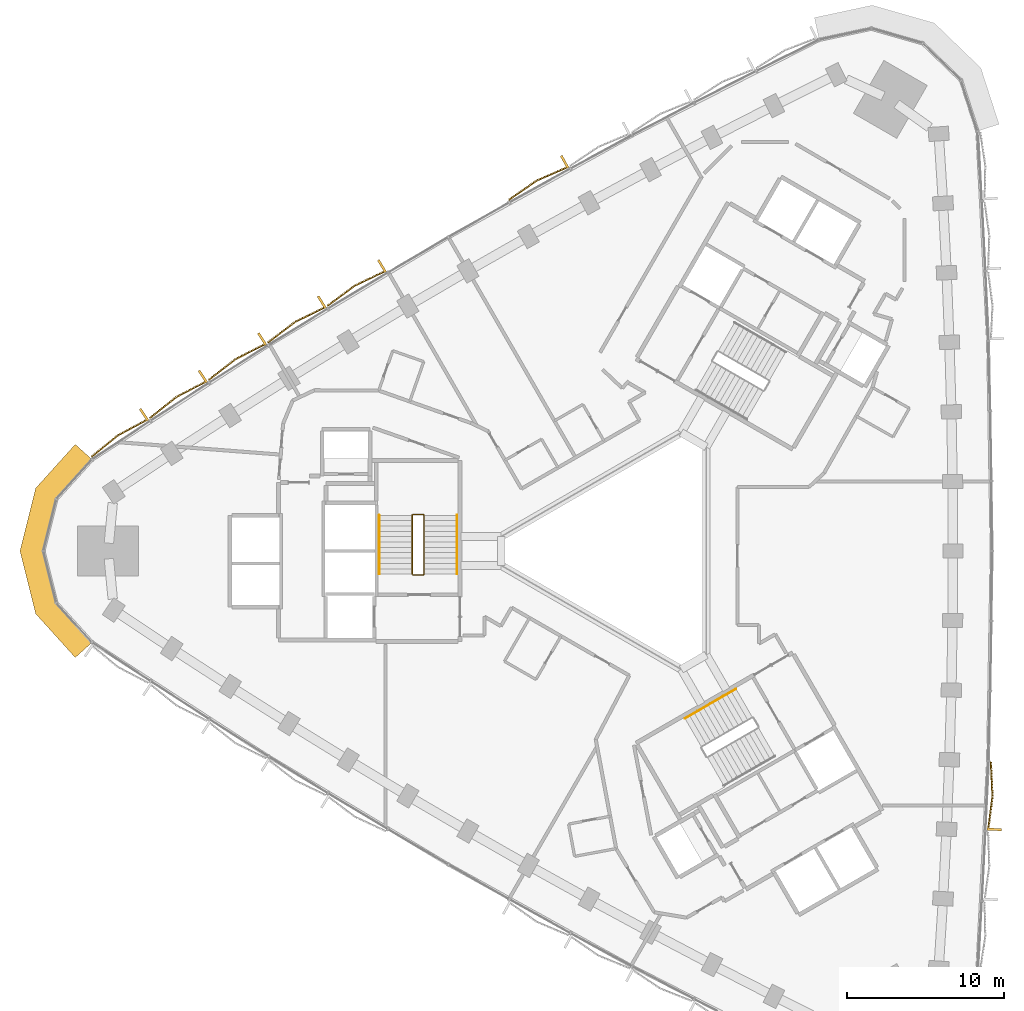
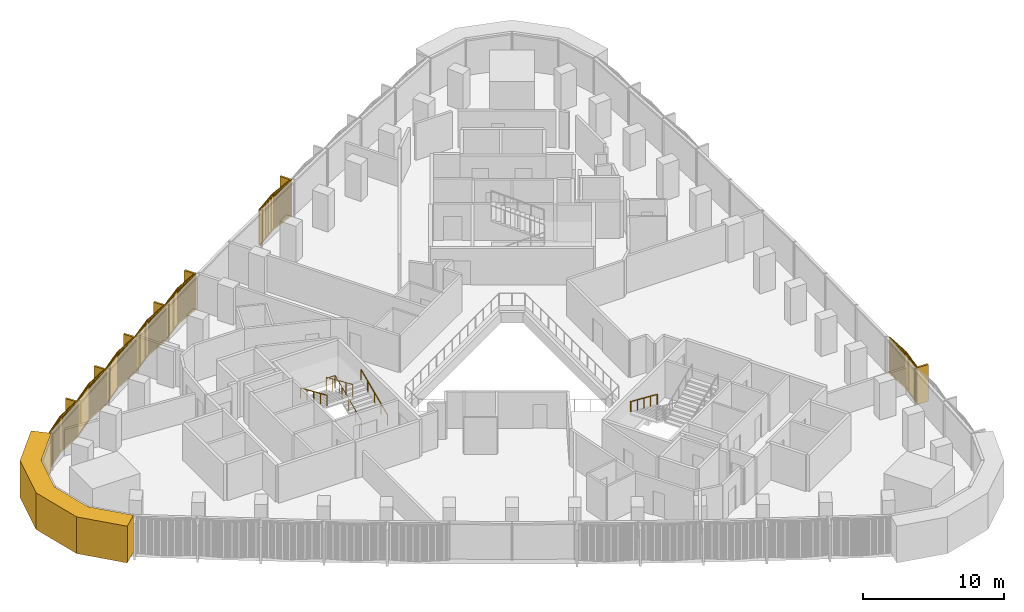
# One storey, part 13 of 15: 8 coverings, 4 railings.
"""IFC4 building model written with IfcOpenShell, lengths in metres."""

from ifc_helpers import new_model, si_unit, direction, frame, frame_2d, origin, origin_2d, place, context, subcontext, project, spatial, polyline, rectangle, circle, outline, extrude, source, transform, mapped, material, layer, layer_set, type_object, element, save


model = new_model("IFC4")

# Units and contexts
model_context = context("Model", 3, precision=1e-05, world=origin(), true_north=direction((0.0, 1.0)))
body_context = subcontext(model_context, "Body", "Model", "MODEL_VIEW")
ifc_project = project(units=[si_unit("LENGTHUNIT", "METRE"), si_unit("AREAUNIT", "SQUARE_METRE"), si_unit("VOLUMEUNIT", "CUBIC_METRE"), si_unit("PLANEANGLEUNIT", "RADIAN"), si_unit("MASSUNIT", "GRAM", prefix="KILO")], contexts=[model_context])

# Site, building, storey
site_placement = place(None, origin())
site = spatial("IfcSite", under=ifc_project, at=site_placement, CompositionType="ELEMENT")
building_placement = place(site_placement, origin())
building = spatial("IfcBuilding", under=site, at=building_placement, Name="Tamra Quay Hotel Tower", CompositionType="ELEMENT")
storey_placement = place(building_placement, frame((0.0, 0.0, 108.199951171875)))
storey = spatial("IfcBuildingStorey", under=building, at=storey_placement, Name="L26", CompositionType="ELEMENT", Elevation=108.199951171875)

# Covering
ifc_material_1 = material(Name="Precast concrete M60 terracotta-coloured", Category="masonry")
ifc_layer = layer(ifc_material_1, 1.449951171875)
ifc_layer_set = layer_set([ifc_layer], Name="CORNER PIER PANEL")
covering_type_1 = type_object("IfcCoveringType", Name="CORNER PIER PANEL", PredefinedType="CLADDING", material=ifc_layer_set)
covering_1_placement = place(storey_placement, origin())
element("IfcCovering", 1, at=covering_1_placement, inside=storey, type_object=covering_type_1, Name="Corner pier L26.north-west", PredefinedType="CLADDING", context=body_context, shape_type="SweptSolid", body=[
    extrude(outline(polyline([(-34.337890625, 5.839599609375), (-35.414306640625, 6.811279296875), (-37.942138671875, 4.01123046875), (-38.944091796875, 0.0), (-37.942138671875, -4.01123046875), (-35.414306640625, -6.811279296875), (-34.337890625, -5.839599609375), (-36.623046875, -3.308349609375), (-37.449462890625, 0.0), (-36.623046875, 3.308349609375), (-34.337890625, 5.839599609375)])), origin(), (0.0, 0.0, 1.0), 3.175048828125),
])

# Railings
ifc_material_2 = material(Name="Stair guard 1100")
railing_type_1 = type_object("IfcRailingType", Name="Stair guard 1100", PredefinedType="GUARDRAIL", material=ifc_material_2)
railing_1_placement = place(storey_placement, frame((-13.84130859375, -1.530029296875, 0.0)))
element("IfcRailing", 2, at=railing_1_placement, inside=storey, type_object=railing_type_1, Name="GR", PredefinedType="GUARDRAIL", context=body_context, shape_type="SweptSolid", body=[
    extrude(circle(Radius=0.02392578125, at=origin_2d()), frame((0.0, 0.0, 1.076171875), z_axis=(1.0, 0.0, 0.0), x_axis=(0.0, 1.0, 0.0)), (0.0, 0.0, 1.0), 0.658935546875),
    extrude(circle(Radius=0.02392578125, at=origin_2d()), frame((0.658935546875, 0.0, 1.076171875), z_axis=(0.301511344578, 0.301511344578, 0.904534033733), x_axis=(-0.707106781187, 0.707106781187, 0.0)), (0.0, 0.0, 1.0), 0.166015625),
    extrude(circle(Radius=0.02392578125, at=origin_2d()), frame((0.708984375, 0.050048828125, 1.22607421875), z_axis=(0.0, 0.915795495799, 0.401644880304), x_axis=(-1.0, 0.0, 0.0)), (0.0, 0.0, 1.0), 4.10791015625),
    extrude(circle(Radius=0.02392578125, at=origin_2d()), frame((0.708984375, 3.81201171875, 2.8759765625), z_axis=(-0.708833529934, 0.705375805398, 0.0), x_axis=(-0.705375805398, -0.708833529934, 0.0)), (0.0, 0.0, 1.0), 0.070556640625),
    extrude(circle(Radius=0.02392578125, at=origin_2d()), frame((0.658935546875, 3.86181640625, 2.8759765625), z_axis=(-1.0, 0.0, 0.0), x_axis=(0.0, -1.0, 0.0)), (0.0, 0.0, 1.0), 0.658935546875),
    extrude(circle(Radius=0.02392578125, at=origin_2d()), frame((0.0, 3.86181640625, 2.8759765625), z_axis=(-0.302046947789, -0.300573548044, 0.904667443621), x_axis=(0.705375805398, -0.708833529934, 0.0)), (0.0, 0.0, 1.0), 0.165771484375),
    extrude(circle(Radius=0.02392578125, at=origin_2d()), frame((-0.050048828125, 3.81201171875, 3.02587890625), z_axis=(0.0, -0.915773634228, 0.401694723457), x_axis=(1.0, 0.0, 0.0)), (0.0, 0.0, 1.0), 4.10791015625),
    extrude(circle(Radius=0.02099609375, at=origin_2d()), origin(), (0.0, 0.0, 1.0), 1.052001953125),
    extrude(circle(Radius=0.02099609375, at=origin_2d()), frame((0.658935546875, 0.0, 0.0)), (0.0, 0.0, 1.0), 1.052001953125),
    extrude(circle(Radius=0.02099609375, at=origin_2d()), frame((0.708984375, 0.050048828125, 0.150146484375)), (0.0, 0.0, 1.0), 1.052001953125),
    extrude(circle(Radius=0.02099609375, at=origin_2d()), frame((0.708984375, 0.990478515625, 0.5625)), (0.0, 0.0, 1.0), 1.052001953125),
    extrude(circle(Radius=0.02099609375, at=origin_2d()), frame((0.708984375, 1.93115234375, 0.97509765625)), (0.0, 0.0, 1.0), 1.052001953125),
    extrude(circle(Radius=0.02099609375, at=origin_2d()), frame((0.708984375, 2.87158203125, 1.3876953125)), (0.0, 0.0, 1.0), 1.052001953125),
    extrude(circle(Radius=0.02099609375, at=origin_2d()), frame((0.708984375, 3.81201171875, 1.800048828125)), (0.0, 0.0, 1.0), 1.052001953125),
    extrude(circle(Radius=0.02099609375, at=origin_2d()), frame((0.658935546875, 3.86181640625, 1.800048828125)), (0.0, 0.0, 1.0), 1.052001953125),
    extrude(circle(Radius=0.02099609375, at=origin_2d()), frame((0.0, 3.86181640625, 1.800048828125)), (0.0, 0.0, 1.0), 1.052001953125),
    extrude(circle(Radius=0.02099609375, at=origin_2d()), frame((-0.050048828125, 3.81201171875, 1.949951171875)), (0.0, 0.0, 1.0), 1.052001953125),
    extrude(circle(Radius=0.02099609375, at=origin_2d()), frame((-0.050048828125, 2.87158203125, 2.362548828125)), (0.0, 0.0, 1.0), 1.052001953125),
    extrude(circle(Radius=0.02099609375, at=origin_2d()), frame((-0.050048828125, 1.93115234375, 2.77490234375)), (0.0, 0.0, 1.0), 1.052001953125),
    extrude(circle(Radius=0.02099609375, at=origin_2d()), frame((-0.050048828125, 0.990478515625, 3.1875)), (0.0, 0.0, 1.0), 1.052001953125),
    extrude(circle(Radius=0.02099609375, at=origin_2d()), frame((-0.050048828125, 0.050048828125, 3.60009765625)), (0.0, 0.0, 1.0), 1.052001953125),
])
ifc_material_3 = material(Name="Stair handrail 900")
railing_type_2 = type_object("IfcRailingType", Name="Stair handrail 900", PredefinedType="HANDRAIL", material=ifc_material_3)
railing_2_placement = place(storey_placement, frame((-11.0322265625, -1.47998046875, 0.150146484375)))
element("IfcRailing", 3, at=railing_2_placement, inside=storey, type_object=railing_type_2, Name="HR", PredefinedType="HANDRAIL", context=body_context, shape_type="SweptSolid", body=[
    extrude(circle(Radius=0.02392578125, at=origin_2d()), frame((0.0, 0.0, 0.8759765625), z_axis=(0.0, 0.915795495799, 0.401644880304), x_axis=(-1.0, 0.0, 0.0)), (0.0, 0.0, 1.0), 4.10791015625),
    extrude(circle(Radius=0.02099609375, at=origin_2d()), origin(), (0.0, 0.0, 1.0), 0.851806640625),
    extrude(circle(Radius=0.02099609375, at=origin_2d()), frame((0.0, 0.9404296875, 0.41259765625)), (0.0, 0.0, 1.0), 0.851806640625),
    extrude(circle(Radius=0.02099609375, at=origin_2d()), frame((0.0, 1.880859375, 0.824951171875)), (0.0, 0.0, 1.0), 0.851806640625),
    extrude(circle(Radius=0.02099609375, at=origin_2d()), frame((0.0, 2.821533203125, 1.2373046875)), (0.0, 0.0, 1.0), 0.851806640625),
    extrude(circle(Radius=0.02099609375, at=origin_2d()), frame((0.0, 3.761962890625, 1.64990234375)), (0.0, 0.0, 1.0), 0.851806640625),
])
railing_3_placement = place(storey_placement, frame((-15.9912109375, 2.281982421875, 1.949951171875)))
element("IfcRailing", 4, at=railing_3_placement, inside=storey, type_object=railing_type_2, Name="HR", PredefinedType="HANDRAIL", context=body_context, shape_type="SweptSolid", body=[
    extrude(circle(Radius=0.02392578125, at=origin_2d()), frame((0.0, 0.0, 0.8759765625), z_axis=(0.0, -0.915773634228, 0.401694723457), x_axis=(1.0, 0.0, 0.0)), (0.0, 0.0, 1.0), 4.10791015625),
    extrude(circle(Radius=0.02099609375, at=origin_2d()), origin(), (0.0, 0.0, 1.0), 0.851806640625),
    extrude(circle(Radius=0.02099609375, at=origin_2d()), frame((0.0, -0.9404296875, 0.41259765625)), (0.0, 0.0, 1.0), 0.851806640625),
    extrude(circle(Radius=0.02099609375, at=origin_2d()), frame((0.0, -1.880859375, 0.8251953125)), (0.0, 0.0, 1.0), 0.851806640625),
    extrude(circle(Radius=0.02099609375, at=origin_2d()), frame((0.0, -2.821533203125, 1.237548828125)), (0.0, 0.0, 1.0), 0.851806640625),
    extrude(circle(Radius=0.02099609375, at=origin_2d()), frame((0.0, -3.761962890625, 1.650146484375)), (0.0, 0.0, 1.0), 0.851806640625),
])
railing_4_placement = place(storey_placement, frame((6.7978515625, -8.814208984375, 0.150146484375)))
element("IfcRailing", 5, at=railing_4_placement, inside=storey, type_object=railing_type_2, Name="HR", PredefinedType="HANDRAIL", context=body_context, shape_type="SweptSolid", body=[
    extrude(circle(Radius=0.02392578125, at=origin_2d()), frame((0.0, 0.0, 0.8759765625), z_axis=(-0.79310004713, -0.457886897714, 0.401661429744), x_axis=(0.499992114976, -0.866029956157, 0.0)), (0.0, 0.0, 1.0), 4.107666015625),
    extrude(circle(Radius=0.02099609375, at=origin_2d()), origin(), (0.0, 0.0, 1.0), 0.851806640625),
    extrude(circle(Radius=0.02099609375, at=origin_2d()), frame((-0.814453125, -0.47021484375, 0.41259765625)), (0.0, 0.0, 1.0), 0.851806640625),
    extrude(circle(Radius=0.02099609375, at=origin_2d()), frame((-1.62890625, -0.9404296875, 0.824951171875)), (0.0, 0.0, 1.0), 0.851806640625),
    extrude(circle(Radius=0.02099609375, at=origin_2d()), frame((-2.443359375, -1.41064453125, 1.2373046875)), (0.0, 0.0, 1.0), 0.851806640625),
    extrude(circle(Radius=0.02099609375, at=origin_2d()), frame((-3.2578125, -1.880859375, 1.64990234375)), (0.0, 0.0, 1.0), 0.851806640625),
])

# Coverings
ifc_material_4 = material(Name="Terracotta baguette extruded", Category="masonry")
covering_type_2 = type_object("IfcCoveringType", Name="BAGUETTE SCREEN E-V H3175", PredefinedType="USERDEFINED", material=ifc_material_4)
shared_shape_1 = source(origin(), body_context, "Body", "SweptSolid", [
    extrude(rectangle(XDim=2.200927734375, YDim=0.06005859375, at=frame_2d((1.1005859375, 0.030029296875))), frame((-2.19775390625, -0.057861328125, -0.1201171875), z_axis=(0.0, 0.0, 1.0), x_axis=(0.996194698092, -0.087155742748, 0.0)), (0.0, 0.0, 1.0), 0.1201171875),
    extrude(rectangle(XDim=2.200927734375, YDim=0.06005859375, at=frame_2d((1.1005859375, 0.030029296875))), frame((-2.19775390625, -0.057861328125, -3.175048828125), z_axis=(0.0, 0.0, 1.0), x_axis=(0.996194698092, -0.087155742748, 0.0)), (0.0, 0.0, 1.0), 0.1201171875),
    extrude(rectangle(XDim=0.070068359375, YDim=0.10009765625, at=frame_2d((0.03515625, 0.050048828125))), frame((-2.177734375, -0.13232421875, -3.114990234375)), (0.0, 0.0, 1.0), 3.054931640625),
    extrude(rectangle(XDim=0.070068359375, YDim=0.10009765625, at=frame_2d((0.03515625, 0.050048828125))), frame((-2.078125, -0.14111328125, -3.114990234375)), (0.0, 0.0, 1.0), 3.054931640625),
    extrude(rectangle(XDim=0.070068359375, YDim=0.10009765625, at=frame_2d((0.03515625, 0.050048828125))), frame((-1.978271484375, -0.14990234375, -3.114990234375)), (0.0, 0.0, 1.0), 3.054931640625),
    extrude(rectangle(XDim=0.070068359375, YDim=0.10009765625, at=frame_2d((0.03515625, 0.050048828125))), frame((-1.878662109375, -0.158447265625, -3.114990234375)), (0.0, 0.0, 1.0), 3.054931640625),
    extrude(rectangle(XDim=0.070068359375, YDim=0.10009765625, at=frame_2d((0.03515625, 0.050048828125))), frame((-1.779052734375, -0.167236328125, -3.114990234375)), (0.0, 0.0, 1.0), 3.054931640625),
    extrude(rectangle(XDim=0.070068359375, YDim=0.10009765625, at=frame_2d((0.03515625, 0.050048828125))), frame((-1.679443359375, -0.176025390625, -3.114990234375)), (0.0, 0.0, 1.0), 3.054931640625),
    extrude(rectangle(XDim=0.070068359375, YDim=0.10009765625, at=frame_2d((0.03515625, 0.050048828125))), frame((-1.579833984375, -0.1845703125, -3.114990234375)), (0.0, 0.0, 1.0), 3.054931640625),
    extrude(rectangle(XDim=0.070068359375, YDim=0.10009765625, at=frame_2d((0.03515625, 0.050048828125))), frame((-1.47998046875, -0.193359375, -3.114990234375)), (0.0, 0.0, 1.0), 3.054931640625),
    extrude(rectangle(XDim=0.070068359375, YDim=0.10009765625, at=frame_2d((0.03515625, 0.050048828125))), frame((-1.38037109375, -0.2021484375, -3.114990234375)), (0.0, 0.0, 1.0), 3.054931640625),
    extrude(rectangle(XDim=0.070068359375, YDim=0.10009765625, at=frame_2d((0.03515625, 0.050048828125))), frame((-1.28076171875, -0.2109375, -3.114990234375)), (0.0, 0.0, 1.0), 3.054931640625),
    extrude(rectangle(XDim=0.070068359375, YDim=0.10009765625, at=frame_2d((0.03515625, 0.050048828125))), frame((-1.18115234375, -0.219482421875, -3.114990234375)), (0.0, 0.0, 1.0), 3.054931640625),
    extrude(rectangle(XDim=0.070068359375, YDim=0.10009765625, at=frame_2d((0.03515625, 0.050048828125))), frame((-1.081298828125, -0.228271484375, -3.114990234375)), (0.0, 0.0, 1.0), 3.054931640625),
    extrude(rectangle(XDim=0.070068359375, YDim=0.10009765625, at=frame_2d((0.03515625, 0.050048828125))), frame((-0.981689453125, -0.237060546875, -3.114990234375)), (0.0, 0.0, 1.0), 3.054931640625),
    extrude(rectangle(XDim=0.070068359375, YDim=0.10009765625, at=frame_2d((0.03515625, 0.050048828125))), frame((-0.882080078125, -0.24560546875, -3.114990234375)), (0.0, 0.0, 1.0), 3.054931640625),
    extrude(rectangle(XDim=0.070068359375, YDim=0.10009765625, at=frame_2d((0.03515625, 0.050048828125))), frame((-0.782470703125, -0.25439453125, -3.114990234375)), (0.0, 0.0, 1.0), 3.054931640625),
    extrude(rectangle(XDim=0.070068359375, YDim=0.10009765625, at=frame_2d((0.03515625, 0.050048828125))), frame((-0.682861328125, -0.26318359375, -3.114990234375)), (0.0, 0.0, 1.0), 3.054931640625),
    extrude(rectangle(XDim=0.070068359375, YDim=0.10009765625, at=frame_2d((0.03515625, 0.050048828125))), frame((-0.583251953125, -0.27197265625, -3.114990234375)), (0.0, 0.0, 1.0), 3.054931640625),
    extrude(rectangle(XDim=0.070068359375, YDim=0.10009765625, at=frame_2d((0.03515625, 0.050048828125))), frame((-0.4833984375, -0.280517578125, -3.114990234375)), (0.0, 0.0, 1.0), 3.054931640625),
    extrude(rectangle(XDim=0.070068359375, YDim=0.10009765625, at=frame_2d((0.03515625, 0.050048828125))), frame((-0.3837890625, -0.289306640625, -3.114990234375)), (0.0, 0.0, 1.0), 3.054931640625),
    extrude(rectangle(XDim=0.070068359375, YDim=0.10009765625, at=frame_2d((0.03515625, 0.050048828125))), frame((-0.2841796875, -0.298095703125, -3.114990234375)), (0.0, 0.0, 1.0), 3.054931640625),
    extrude(rectangle(XDim=0.070068359375, YDim=0.10009765625, at=frame_2d((0.03515625, 0.050048828125))), frame((-0.1845703125, -0.306640625, -3.114990234375)), (0.0, 0.0, 1.0), 3.054931640625),
    extrude(rectangle(XDim=0.070068359375, YDim=0.10009765625, at=frame_2d((0.03515625, 0.050048828125))), frame((-0.084716796875, -0.3154296875, -3.114990234375)), (0.0, 0.0, 1.0), 3.054931640625),
    extrude(rectangle(XDim=2.200927734375, YDim=0.06005859375, at=frame_2d((1.1005859375, 0.030029296875))), frame((0.005126953125, -0.24951171875, -0.1201171875), z_axis=(0.0, 0.0, 1.0), x_axis=(0.996194698092, 0.087155742748, 0.0)), (0.0, 0.0, 1.0), 0.1201171875),
    extrude(rectangle(XDim=2.200927734375, YDim=0.06005859375, at=frame_2d((1.1005859375, 0.030029296875))), frame((0.005126953125, -0.24951171875, -3.175048828125), z_axis=(0.0, 0.0, 1.0), x_axis=(0.996194698092, 0.087155742748, 0.0)), (0.0, 0.0, 1.0), 0.1201171875),
    extrude(rectangle(XDim=0.070068359375, YDim=0.10009765625, at=frame_2d((0.03515625, 0.050048828125))), frame((0.014892578125, -0.3154296875, -3.114990234375)), (0.0, 0.0, 1.0), 3.054931640625),
    extrude(rectangle(XDim=0.070068359375, YDim=0.10009765625, at=frame_2d((0.03515625, 0.050048828125))), frame((0.114501953125, -0.306640625, -3.114990234375)), (0.0, 0.0, 1.0), 3.054931640625),
    extrude(rectangle(XDim=0.070068359375, YDim=0.10009765625, at=frame_2d((0.03515625, 0.050048828125))), frame((0.214111328125, -0.298095703125, -3.114990234375)), (0.0, 0.0, 1.0), 3.054931640625),
    extrude(rectangle(XDim=0.070068359375, YDim=0.10009765625, at=frame_2d((0.03515625, 0.050048828125))), frame((0.313720703125, -0.289306640625, -3.114990234375)), (0.0, 0.0, 1.0), 3.054931640625),
    extrude(rectangle(XDim=0.070068359375, YDim=0.10009765625, at=frame_2d((0.03515625, 0.050048828125))), frame((0.41357421875, -0.280517578125, -3.114990234375)), (0.0, 0.0, 1.0), 3.054931640625),
    extrude(rectangle(XDim=0.070068359375, YDim=0.10009765625, at=frame_2d((0.03515625, 0.050048828125))), frame((0.51318359375, -0.27197265625, -3.114990234375)), (0.0, 0.0, 1.0), 3.054931640625),
    extrude(rectangle(XDim=0.070068359375, YDim=0.10009765625, at=frame_2d((0.03515625, 0.050048828125))), frame((0.61279296875, -0.26318359375, -3.114990234375)), (0.0, 0.0, 1.0), 3.054931640625),
    extrude(rectangle(XDim=0.070068359375, YDim=0.10009765625, at=frame_2d((0.03515625, 0.050048828125))), frame((0.71240234375, -0.25439453125, -3.114990234375)), (0.0, 0.0, 1.0), 3.054931640625),
    extrude(rectangle(XDim=0.070068359375, YDim=0.10009765625, at=frame_2d((0.03515625, 0.050048828125))), frame((0.81201171875, -0.24560546875, -3.114990234375)), (0.0, 0.0, 1.0), 3.054931640625),
    extrude(rectangle(XDim=0.070068359375, YDim=0.10009765625, at=frame_2d((0.03515625, 0.050048828125))), frame((0.911865234375, -0.237060546875, -3.114990234375)), (0.0, 0.0, 1.0), 3.054931640625),
    extrude(rectangle(XDim=0.070068359375, YDim=0.10009765625, at=frame_2d((0.03515625, 0.050048828125))), frame((1.011474609375, -0.228271484375, -3.114990234375)), (0.0, 0.0, 1.0), 3.054931640625),
    extrude(rectangle(XDim=0.070068359375, YDim=0.10009765625, at=frame_2d((0.03515625, 0.050048828125))), frame((1.111083984375, -0.219482421875, -3.114990234375)), (0.0, 0.0, 1.0), 3.054931640625),
    extrude(rectangle(XDim=0.070068359375, YDim=0.10009765625, at=frame_2d((0.03515625, 0.050048828125))), frame((1.210693359375, -0.2109375, -3.114990234375)), (0.0, 0.0, 1.0), 3.054931640625),
    extrude(rectangle(XDim=0.070068359375, YDim=0.10009765625, at=frame_2d((0.03515625, 0.050048828125))), frame((1.310302734375, -0.2021484375, -3.114990234375)), (0.0, 0.0, 1.0), 3.054931640625),
    extrude(rectangle(XDim=0.070068359375, YDim=0.10009765625, at=frame_2d((0.03515625, 0.050048828125))), frame((1.41015625, -0.193359375, -3.114990234375)), (0.0, 0.0, 1.0), 3.054931640625),
    extrude(rectangle(XDim=0.070068359375, YDim=0.10009765625, at=frame_2d((0.03515625, 0.050048828125))), frame((1.509765625, -0.1845703125, -3.114990234375)), (0.0, 0.0, 1.0), 3.054931640625),
    extrude(rectangle(XDim=0.070068359375, YDim=0.10009765625, at=frame_2d((0.03515625, 0.050048828125))), frame((1.609375, -0.176025390625, -3.114990234375)), (0.0, 0.0, 1.0), 3.054931640625),
    extrude(rectangle(XDim=0.070068359375, YDim=0.10009765625, at=frame_2d((0.03515625, 0.050048828125))), frame((1.708984375, -0.167236328125, -3.114990234375)), (0.0, 0.0, 1.0), 3.054931640625),
    extrude(rectangle(XDim=0.070068359375, YDim=0.10009765625, at=frame_2d((0.03515625, 0.050048828125))), frame((1.80859375, -0.158447265625, -3.114990234375)), (0.0, 0.0, 1.0), 3.054931640625),
    extrude(rectangle(XDim=0.070068359375, YDim=0.10009765625, at=frame_2d((0.03515625, 0.050048828125))), frame((1.908447265625, -0.14990234375, -3.114990234375)), (0.0, 0.0, 1.0), 3.054931640625),
    extrude(rectangle(XDim=0.070068359375, YDim=0.10009765625, at=frame_2d((0.03515625, 0.050048828125))), frame((2.008056640625, -0.14111328125, -3.114990234375)), (0.0, 0.0, 1.0), 3.054931640625),
    extrude(rectangle(XDim=0.070068359375, YDim=0.10009765625, at=frame_2d((0.03515625, 0.050048828125))), frame((2.107666015625, -0.13232421875, -3.114990234375)), (0.0, 0.0, 1.0), 3.054931640625),
    extrude(rectangle(XDim=0.14990234375, YDim=0.902099609375, at=frame_2d((0.074951171875, 0.451171875))), frame((-2.1923828125, -0.89990234375, -3.175048828125)), (0.0, 0.0, 1.0), 3.175048828125),
])
covering_2_placement = place(storey_placement, frame((22.933349609375, -15.65625, 3.175048828125), z_axis=(0.0, 0.0, 1.0), x_axis=(0.039943885581, 0.99920192454, 0.0)))
element("IfcCovering", 6, at=covering_2_placement, inside=storey, type_object=covering_type_2, Name="Baguette screen L26.E.f02", ObjectType="BAGUETTE SCREEN", PredefinedType="USERDEFINED", context=body_context, shape_type="MappedRepresentation", body=[
    mapped(shared_shape_1, transform((0.0, 0.0, 0.0), scale=1.0)),
])
covering_type_3 = type_object("IfcCoveringType", Name="BAGUETTE SCREEN NW-V H3175", PredefinedType="USERDEFINED", material=ifc_material_4)
shared_shape_2 = source(origin(), body_context, "Body", "SweptSolid", [
    extrude(rectangle(XDim=2.20263671875, YDim=0.06005859375, at=frame_2d((1.101318359375, 0.030029296875))), frame((-2.1982421875, -0.0576171875, -0.1201171875), z_axis=(0.0, 0.0, 1.0), x_axis=(0.995396198367, -0.09584575252, 0.0)), (0.0, 0.0, 1.0), 0.1201171875),
    extrude(rectangle(XDim=2.20263671875, YDim=0.06005859375, at=frame_2d((1.101318359375, 0.030029296875))), frame((-2.1982421875, -0.0576171875, -3.175048828125), z_axis=(0.0, 0.0, 1.0), x_axis=(0.995396198367, -0.09584575252, 0.0)), (0.0, 0.0, 1.0), 0.1201171875),
    extrude(rectangle(XDim=0.070068359375, YDim=0.10009765625, at=frame_2d((0.03515625, 0.050048828125))), frame((-2.177734375, -0.1328125, -3.114990234375)), (0.0, 0.0, 1.0), 3.054931640625),
    extrude(rectangle(XDim=0.070068359375, YDim=0.10009765625, at=frame_2d((0.03515625, 0.050048828125))), frame((-2.078125, -0.142333984375, -3.114990234375)), (0.0, 0.0, 1.0), 3.054931640625),
    extrude(rectangle(XDim=0.070068359375, YDim=0.10009765625, at=frame_2d((0.03515625, 0.050048828125))), frame((-1.978271484375, -0.152099609375, -3.114990234375)), (0.0, 0.0, 1.0), 3.054931640625),
    extrude(rectangle(XDim=0.070068359375, YDim=0.10009765625, at=frame_2d((0.03515625, 0.050048828125))), frame((-1.878662109375, -0.16162109375, -3.114990234375)), (0.0, 0.0, 1.0), 3.054931640625),
    extrude(rectangle(XDim=0.070068359375, YDim=0.10009765625, at=frame_2d((0.03515625, 0.050048828125))), frame((-1.779052734375, -0.171142578125, -3.114990234375)), (0.0, 0.0, 1.0), 3.054931640625),
    extrude(rectangle(XDim=0.070068359375, YDim=0.10009765625, at=frame_2d((0.03515625, 0.050048828125))), frame((-1.679443359375, -0.1806640625, -3.114990234375)), (0.0, 0.0, 1.0), 3.054931640625),
    extrude(rectangle(XDim=0.070068359375, YDim=0.10009765625, at=frame_2d((0.03515625, 0.050048828125))), frame((-1.579833984375, -0.1904296875, -3.114990234375)), (0.0, 0.0, 1.0), 3.054931640625),
    extrude(rectangle(XDim=0.070068359375, YDim=0.10009765625, at=frame_2d((0.03515625, 0.050048828125))), frame((-1.47998046875, -0.199951171875, -3.114990234375)), (0.0, 0.0, 1.0), 3.054931640625),
    extrude(rectangle(XDim=0.070068359375, YDim=0.10009765625, at=frame_2d((0.03515625, 0.050048828125))), frame((-1.38037109375, -0.20947265625, -3.114990234375)), (0.0, 0.0, 1.0), 3.054931640625),
    extrude(rectangle(XDim=0.070068359375, YDim=0.10009765625, at=frame_2d((0.03515625, 0.050048828125))), frame((-1.28076171875, -0.21923828125, -3.114990234375)), (0.0, 0.0, 1.0), 3.054931640625),
    extrude(rectangle(XDim=0.070068359375, YDim=0.10009765625, at=frame_2d((0.03515625, 0.050048828125))), frame((-1.18115234375, -0.228759765625, -3.114990234375)), (0.0, 0.0, 1.0), 3.054931640625),
    extrude(rectangle(XDim=0.070068359375, YDim=0.10009765625, at=frame_2d((0.03515625, 0.050048828125))), frame((-1.081298828125, -0.23828125, -3.114990234375)), (0.0, 0.0, 1.0), 3.054931640625),
    extrude(rectangle(XDim=0.070068359375, YDim=0.10009765625, at=frame_2d((0.03515625, 0.050048828125))), frame((-0.981689453125, -0.248046875, -3.114990234375)), (0.0, 0.0, 1.0), 3.054931640625),
    extrude(rectangle(XDim=0.070068359375, YDim=0.10009765625, at=frame_2d((0.03515625, 0.050048828125))), frame((-0.882080078125, -0.257568359375, -3.114990234375)), (0.0, 0.0, 1.0), 3.054931640625),
    extrude(rectangle(XDim=0.070068359375, YDim=0.10009765625, at=frame_2d((0.03515625, 0.050048828125))), frame((-0.782470703125, -0.26708984375, -3.114990234375)), (0.0, 0.0, 1.0), 3.054931640625),
    extrude(rectangle(XDim=0.070068359375, YDim=0.10009765625, at=frame_2d((0.03515625, 0.050048828125))), frame((-0.682861328125, -0.27685546875, -3.114990234375)), (0.0, 0.0, 1.0), 3.054931640625),
    extrude(rectangle(XDim=0.070068359375, YDim=0.10009765625, at=frame_2d((0.03515625, 0.050048828125))), frame((-0.583251953125, -0.286376953125, -3.114990234375)), (0.0, 0.0, 1.0), 3.054931640625),
    extrude(rectangle(XDim=0.070068359375, YDim=0.10009765625, at=frame_2d((0.03515625, 0.050048828125))), frame((-0.4833984375, -0.2958984375, -3.114990234375)), (0.0, 0.0, 1.0), 3.054931640625),
    extrude(rectangle(XDim=0.070068359375, YDim=0.10009765625, at=frame_2d((0.03515625, 0.050048828125))), frame((-0.3837890625, -0.305419921875, -3.114990234375)), (0.0, 0.0, 1.0), 3.054931640625),
    extrude(rectangle(XDim=0.070068359375, YDim=0.10009765625, at=frame_2d((0.03515625, 0.050048828125))), frame((-0.2841796875, -0.315185546875, -3.114990234375)), (0.0, 0.0, 1.0), 3.054931640625),
    extrude(rectangle(XDim=0.070068359375, YDim=0.10009765625, at=frame_2d((0.03515625, 0.050048828125))), frame((-0.1845703125, -0.32470703125, -3.114990234375)), (0.0, 0.0, 1.0), 3.054931640625),
    extrude(rectangle(XDim=0.070068359375, YDim=0.10009765625, at=frame_2d((0.03515625, 0.050048828125))), frame((-0.084716796875, -0.334228515625, -3.114990234375)), (0.0, 0.0, 1.0), 3.054931640625),
    extrude(rectangle(XDim=2.20263671875, YDim=0.06005859375, at=frame_2d((1.101318359375, 0.030029296875))), frame((0.005859375, -0.268798828125, -0.1201171875), z_axis=(0.0, 0.0, 1.0), x_axis=(0.995396198367, 0.09584575252, 0.0)), (0.0, 0.0, 1.0), 0.1201171875),
    extrude(rectangle(XDim=2.20263671875, YDim=0.06005859375, at=frame_2d((1.101318359375, 0.030029296875))), frame((0.005859375, -0.268798828125, -3.175048828125), z_axis=(0.0, 0.0, 1.0), x_axis=(0.995396198367, 0.09584575252, 0.0)), (0.0, 0.0, 1.0), 0.1201171875),
    extrude(rectangle(XDim=0.070068359375, YDim=0.10009765625, at=frame_2d((0.03515625, 0.050048828125))), frame((0.014892578125, -0.334228515625, -3.114990234375)), (0.0, 0.0, 1.0), 3.054931640625),
    extrude(rectangle(XDim=0.070068359375, YDim=0.10009765625, at=frame_2d((0.03515625, 0.050048828125))), frame((0.114501953125, -0.32470703125, -3.114990234375)), (0.0, 0.0, 1.0), 3.054931640625),
    extrude(rectangle(XDim=0.070068359375, YDim=0.10009765625, at=frame_2d((0.03515625, 0.050048828125))), frame((0.214111328125, -0.315185546875, -3.114990234375)), (0.0, 0.0, 1.0), 3.054931640625),
    extrude(rectangle(XDim=0.070068359375, YDim=0.10009765625, at=frame_2d((0.03515625, 0.050048828125))), frame((0.313720703125, -0.305419921875, -3.114990234375)), (0.0, 0.0, 1.0), 3.054931640625),
    extrude(rectangle(XDim=0.070068359375, YDim=0.10009765625, at=frame_2d((0.03515625, 0.050048828125))), frame((0.41357421875, -0.2958984375, -3.114990234375)), (0.0, 0.0, 1.0), 3.054931640625),
    extrude(rectangle(XDim=0.070068359375, YDim=0.10009765625, at=frame_2d((0.03515625, 0.050048828125))), frame((0.51318359375, -0.286376953125, -3.114990234375)), (0.0, 0.0, 1.0), 3.054931640625),
    extrude(rectangle(XDim=0.070068359375, YDim=0.10009765625, at=frame_2d((0.03515625, 0.050048828125))), frame((0.61279296875, -0.27685546875, -3.114990234375)), (0.0, 0.0, 1.0), 3.054931640625),
    extrude(rectangle(XDim=0.070068359375, YDim=0.10009765625, at=frame_2d((0.03515625, 0.050048828125))), frame((0.71240234375, -0.26708984375, -3.114990234375)), (0.0, 0.0, 1.0), 3.054931640625),
    extrude(rectangle(XDim=0.070068359375, YDim=0.10009765625, at=frame_2d((0.03515625, 0.050048828125))), frame((0.81201171875, -0.257568359375, -3.114990234375)), (0.0, 0.0, 1.0), 3.054931640625),
    extrude(rectangle(XDim=0.070068359375, YDim=0.10009765625, at=frame_2d((0.03515625, 0.050048828125))), frame((0.911865234375, -0.248046875, -3.114990234375)), (0.0, 0.0, 1.0), 3.054931640625),
    extrude(rectangle(XDim=0.070068359375, YDim=0.10009765625, at=frame_2d((0.03515625, 0.050048828125))), frame((1.011474609375, -0.23828125, -3.114990234375)), (0.0, 0.0, 1.0), 3.054931640625),
    extrude(rectangle(XDim=0.070068359375, YDim=0.10009765625, at=frame_2d((0.03515625, 0.050048828125))), frame((1.111083984375, -0.228759765625, -3.114990234375)), (0.0, 0.0, 1.0), 3.054931640625),
    extrude(rectangle(XDim=0.070068359375, YDim=0.10009765625, at=frame_2d((0.03515625, 0.050048828125))), frame((1.210693359375, -0.21923828125, -3.114990234375)), (0.0, 0.0, 1.0), 3.054931640625),
    extrude(rectangle(XDim=0.070068359375, YDim=0.10009765625, at=frame_2d((0.03515625, 0.050048828125))), frame((1.310302734375, -0.20947265625, -3.114990234375)), (0.0, 0.0, 1.0), 3.054931640625),
    extrude(rectangle(XDim=0.070068359375, YDim=0.10009765625, at=frame_2d((0.03515625, 0.050048828125))), frame((1.41015625, -0.199951171875, -3.114990234375)), (0.0, 0.0, 1.0), 3.054931640625),
    extrude(rectangle(XDim=0.070068359375, YDim=0.10009765625, at=frame_2d((0.03515625, 0.050048828125))), frame((1.509765625, -0.1904296875, -3.114990234375)), (0.0, 0.0, 1.0), 3.054931640625),
    extrude(rectangle(XDim=0.070068359375, YDim=0.10009765625, at=frame_2d((0.03515625, 0.050048828125))), frame((1.609375, -0.1806640625, -3.114990234375)), (0.0, 0.0, 1.0), 3.054931640625),
    extrude(rectangle(XDim=0.070068359375, YDim=0.10009765625, at=frame_2d((0.03515625, 0.050048828125))), frame((1.708984375, -0.171142578125, -3.114990234375)), (0.0, 0.0, 1.0), 3.054931640625),
    extrude(rectangle(XDim=0.070068359375, YDim=0.10009765625, at=frame_2d((0.03515625, 0.050048828125))), frame((1.80859375, -0.16162109375, -3.114990234375)), (0.0, 0.0, 1.0), 3.054931640625),
    extrude(rectangle(XDim=0.070068359375, YDim=0.10009765625, at=frame_2d((0.03515625, 0.050048828125))), frame((1.908447265625, -0.152099609375, -3.114990234375)), (0.0, 0.0, 1.0), 3.054931640625),
    extrude(rectangle(XDim=0.070068359375, YDim=0.10009765625, at=frame_2d((0.03515625, 0.050048828125))), frame((2.008056640625, -0.142333984375, -3.114990234375)), (0.0, 0.0, 1.0), 3.054931640625),
    extrude(rectangle(XDim=0.070068359375, YDim=0.10009765625, at=frame_2d((0.03515625, 0.050048828125))), frame((2.107666015625, -0.1328125, -3.114990234375)), (0.0, 0.0, 1.0), 3.054931640625),
    extrude(rectangle(XDim=0.14990234375, YDim=0.902099609375, at=frame_2d((0.074951171875, 0.451171875))), frame((-2.1923828125, -0.89990234375, -3.175048828125)), (0.0, 0.0, 1.0), 3.175048828125),
])
for number, where, z_axis, x_axis, name in (
    (7, (-5.7822265625, 23.437744140625, 3.175048828125), (0.0, 0.0, 1.0), (-0.874465248197, -0.485088166931, 0.0), "Baguette screen L26.NW.f04"),
    (8, (-17.40673828125, 16.7265625, 3.175048828125), (0.0, 0.0, 1.0), (-0.857331299736, -0.5147650362, 0.0), "Baguette screen L26.NW.f07"),
    (9, (-21.2294921875, 14.4013671875, 3.175048828125), (0.0, 0.0, 1.0), (-0.851399310906, -0.524518077276, 0.0), "Baguette screen L26.NW.f08"),
    (10, (-25.025634765625, 12.03271484375, 3.175048828125), (0.0, 0.0, 1.0), (-0.845362307372, -0.534193381909, 0.0), "Baguette screen L26.NW.f09"),
    (11, (-28.79443359375, 9.62109375, 3.175048828125), (0.0, 0.0, 1.0), (-0.839223806914, -0.543786172966, 0.0), "Baguette screen L26.NW.f10"),
    (12, (-32.53515625, 7.1669921875, 3.175048828125), (0.0, 0.0, 1.0), (-0.832988106715, -0.553290894622, 0.0), "Baguette screen L26.NW.f11"),
):
    element("IfcCovering", number, at=place(storey_placement, frame(where, z_axis=z_axis, x_axis=x_axis)), inside=storey, type_object=covering_type_3, Name=name, ObjectType="BAGUETTE SCREEN", PredefinedType="USERDEFINED", context=body_context, shape_type="MappedRepresentation", body=[
        mapped(shared_shape_2, transform((0.0, 0.0, 0.0), scale=1.0)),
    ])

save(model, "model.ifc")
